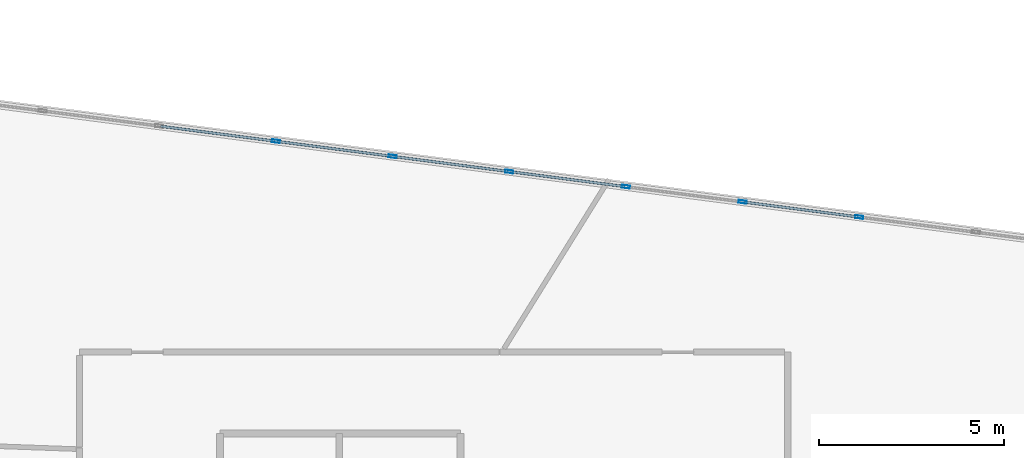
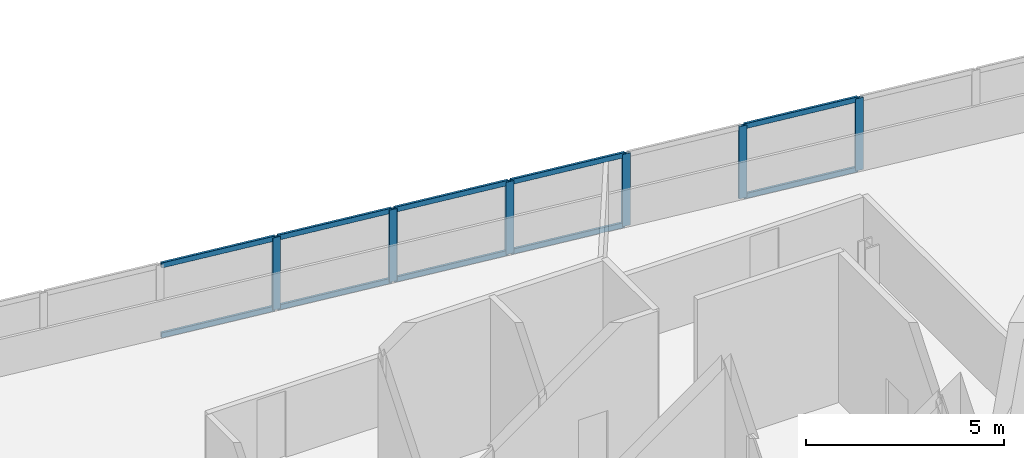
# One storey, part 3 of 7: 16 members, 1 element without a shape of its own.
"""IFC4 building model written with IfcOpenShell, lengths in metres."""

from ifc_helpers import new_model, si_unit, direction, frame, origin, origin_2d, place, context, subcontext, project, spatial, hollow_rectangle, extrude, material, material_profile, profile_set, type_object, element, aggregate, save


model = new_model("IFC4")

# Units and contexts
model_context = context("Model", 3, precision=1e-05, world=origin(), true_north=direction((0.0, 1.0)))
body_context = subcontext(model_context, "Body", "Model", "MODEL_VIEW")
ifc_project = project(units=[si_unit("LENGTHUNIT", "METRE"), si_unit("AREAUNIT", "SQUARE_METRE"), si_unit("VOLUMEUNIT", "CUBIC_METRE"), si_unit("PLANEANGLEUNIT", "RADIAN"), si_unit("MASSUNIT", "GRAM", prefix="KILO")], contexts=[model_context])

# Site, building, storey
site_placement = place(None, origin())
site = spatial("IfcSite", under=ifc_project, at=site_placement, CompositionType="ELEMENT")
building_placement = place(site_placement, origin())
building = spatial("IfcBuilding", under=site, at=building_placement, Name="Narakoshi Arena Tower", CompositionType="ELEMENT")
storey_placement = place(building_placement, frame((0.0, 0.0, 312.580078125)))
storey = spatial("IfcBuildingStorey", under=building, at=storey_placement, Name="L84", CompositionType="ELEMENT", Elevation=312.580078125)

# Curtain wall, members
ifc_material = material(Name="Anodised bronze aluminium 6063-T6", Category="aluminium")
curtain_wall_type = type_object("IfcCurtainWallType", Name="CW-CRN-FACET", PredefinedType="NOTDEFINED", material=ifc_material)
curtain_wall_placement = place(storey_placement, origin())
curtain_wall = element("IfcCurtainWall", 1, at=curtain_wall_placement, inside=storey, type_object=curtain_wall_type, Name="L84 Slanted-Cut Crown Curtain Wall 5-1", PredefinedType="NOTDEFINED")
ifc_material_profile_1 = material_profile(ifc_material, hollow_rectangle(XDim=0.080078125, YDim=0.219970703125, WallThickness=0.0048828125, OuterFilletRadius=0.006103515625, at=origin_2d()), Name="MUL220x80x5")
ifc_profile_set_1 = profile_set([ifc_material_profile_1], Name="Anodised bronze aluminium 6063-T6")
member_type_1 = type_object("IfcMemberType", Name="MEM-MUL-220", PredefinedType="MULLION", material=ifc_profile_set_1)
member_1_placement = place(storey_placement, frame((74.61181640625, 54.251708984375, 0.0), z_axis=(0.0, 0.0, 1.0), x_axis=(0.128889713319, 0.991658934211, 0.0)))
member_1 = element("IfcMember", 2, at=member_1_placement, type_object=member_type_1, Name="CW-06 mullion 8", PredefinedType="MULLION", context=body_context, shape_type="SweptSolid", body=[
    extrude(hollow_rectangle(XDim=0.080078125, YDim=0.219970703125, WallThickness=0.0048828125, OuterFilletRadius=0.006103515625, at=origin_2d()), origin(), (0.0, 0.0, 1.0), 2.2216796875),
])
member_2_placement = place(storey_placement, frame((77.765869140625, 53.841796875, 0.0), z_axis=(0.0, 0.0, 1.0), x_axis=(0.128889713319, 0.991658934211, 0.0)))
member_2 = element("IfcMember", 3, at=member_2_placement, type_object=member_type_1, Name="CW-06 mullion 9", PredefinedType="MULLION", context=body_context, shape_type="SweptSolid", body=[
    extrude(hollow_rectangle(XDim=0.080078125, YDim=0.219970703125, WallThickness=0.0048828125, OuterFilletRadius=0.006103515625, at=origin_2d()), origin(), (0.0, 0.0, 1.0), 2.2216796875),
])
member_3_placement = place(storey_placement, frame((80.920166015625, 53.431884765625, 0.0), z_axis=(0.0, 0.0, 1.0), x_axis=(0.128889713319, 0.991658934211, 0.0)))
member_3 = element("IfcMember", 4, at=member_3_placement, type_object=member_type_1, Name="CW-06 mullion 10", PredefinedType="MULLION", context=body_context, shape_type="SweptSolid", body=[
    extrude(hollow_rectangle(XDim=0.080078125, YDim=0.219970703125, WallThickness=0.0048828125, OuterFilletRadius=0.006103515625, at=origin_2d()), origin(), (0.0, 0.0, 1.0), 2.2216796875),
])
member_4_placement = place(storey_placement, frame((84.07421875, 53.02197265625, 0.0), z_axis=(0.0, 0.0, 1.0), x_axis=(0.128889713319, 0.991658934211, 0.0)))
member_4 = element("IfcMember", 5, at=member_4_placement, type_object=member_type_1, Name="CW-06 mullion 11", PredefinedType="MULLION", context=body_context, shape_type="SweptSolid", body=[
    extrude(hollow_rectangle(XDim=0.080078125, YDim=0.219970703125, WallThickness=0.0048828125, OuterFilletRadius=0.006103515625, at=origin_2d()), origin(), (0.0, 0.0, 1.0), 2.2216796875),
])
member_5_placement = place(storey_placement, frame((87.228515625, 52.612060546875, 0.0), z_axis=(0.0, 0.0, 1.0), x_axis=(0.128889713319, 0.991658934211, 0.0)))
member_5 = element("IfcMember", 6, at=member_5_placement, type_object=member_type_1, Name="CW-06 mullion 12", PredefinedType="MULLION", context=body_context, shape_type="SweptSolid", body=[
    extrude(hollow_rectangle(XDim=0.080078125, YDim=0.219970703125, WallThickness=0.0048828125, OuterFilletRadius=0.006103515625, at=origin_2d()), origin(), (0.0, 0.0, 1.0), 2.2216796875),
])
member_6_placement = place(storey_placement, frame((90.382568359375, 52.201904296875, 0.0), z_axis=(0.0, 0.0, 1.0), x_axis=(0.128889713319, 0.991658934211, 0.0)))
member_6 = element("IfcMember", 7, at=member_6_placement, type_object=member_type_1, Name="CW-06 mullion 13", PredefinedType="MULLION", context=body_context, shape_type="SweptSolid", body=[
    extrude(hollow_rectangle(XDim=0.080078125, YDim=0.219970703125, WallThickness=0.0048828125, OuterFilletRadius=0.006103515625, at=origin_2d()), origin(), (0.0, 0.0, 1.0), 2.2216796875),
])
ifc_material_profile_2 = material_profile(ifc_material, hollow_rectangle(XDim=0.070068359375, YDim=0.159912109375, WallThickness=0.00390625, OuterFilletRadius=0.0048828125, at=origin_2d()), Name="TRN160x70x4")
ifc_profile_set_2 = profile_set([ifc_material_profile_2], Name="Anodised bronze aluminium 6063-T6")
member_type_2 = type_object("IfcMemberType", Name="MEM-TRN-160", PredefinedType="USERDEFINED", material=ifc_profile_set_2)
member_7_placement = place(storey_placement, frame((71.497314453125, 54.656494140625, 0.034912109375), z_axis=(0.991657831749, -0.128898195218, 0.0), x_axis=(0.128898195218, 0.991657831749, 0.0)))
member_7 = element("IfcMember", 8, at=member_7_placement, type_object=member_type_2, Name="CW-06 transom 7.1", ObjectType="TRANSOM", PredefinedType="USERDEFINED", context=body_context, shape_type="SweptSolid", body=[
    extrude(hollow_rectangle(XDim=0.070068359375, YDim=0.159912109375, WallThickness=0.00390625, OuterFilletRadius=0.0048828125, at=origin_2d()), origin(), (0.0, 0.0, 1.0), 3.1005859375),
])
member_8_placement = place(storey_placement, frame((71.497314453125, 54.656494140625, 2.186767578125), z_axis=(0.991657831749, -0.128898195218, 0.0), x_axis=(0.128898195218, 0.991657831749, 0.0)))
member_8 = element("IfcMember", 9, at=member_8_placement, type_object=member_type_2, Name="CW-06 transom 7.2", ObjectType="TRANSOM", PredefinedType="USERDEFINED", context=body_context, shape_type="SweptSolid", body=[
    extrude(hollow_rectangle(XDim=0.070068359375, YDim=0.159912109375, WallThickness=0.00390625, OuterFilletRadius=0.0048828125, at=origin_2d()), origin(), (0.0, 0.0, 1.0), 3.1005859375),
])
member_9_placement = place(storey_placement, frame((74.6513671875, 54.24658203125, 0.034912109375), z_axis=(0.991659139849, -0.128888131158, 0.0), x_axis=(0.128888131158, 0.991659139849, 0.0)))
member_9 = element("IfcMember", 10, at=member_9_placement, type_object=member_type_2, Name="CW-06 transom 8.1", ObjectType="TRANSOM", PredefinedType="USERDEFINED", context=body_context, shape_type="SweptSolid", body=[
    extrude(hollow_rectangle(XDim=0.070068359375, YDim=0.159912109375, WallThickness=0.00390625, OuterFilletRadius=0.0048828125, at=origin_2d()), origin(), (0.0, 0.0, 1.0), 3.100830078125),
])
member_10_placement = place(storey_placement, frame((74.6513671875, 54.24658203125, 2.186767578125), z_axis=(0.991659139849, -0.128888131158, 0.0), x_axis=(0.128888131158, 0.991659139849, 0.0)))
member_10 = element("IfcMember", 11, at=member_10_placement, type_object=member_type_2, Name="CW-06 transom 8.2", ObjectType="TRANSOM", PredefinedType="USERDEFINED", context=body_context, shape_type="SweptSolid", body=[
    extrude(hollow_rectangle(XDim=0.070068359375, YDim=0.159912109375, WallThickness=0.00390625, OuterFilletRadius=0.0048828125, at=origin_2d()), origin(), (0.0, 0.0, 1.0), 3.100830078125),
])
member_11_placement = place(storey_placement, frame((77.8056640625, 53.836669921875, 0.034912109375), z_axis=(0.991657831749, -0.128898195218, 0.0), x_axis=(0.128898195218, 0.991657831749, 0.0)))
member_11 = element("IfcMember", 12, at=member_11_placement, type_object=member_type_2, Name="CW-06 transom 9.1", ObjectType="TRANSOM", PredefinedType="USERDEFINED", context=body_context, shape_type="SweptSolid", body=[
    extrude(hollow_rectangle(XDim=0.070068359375, YDim=0.159912109375, WallThickness=0.00390625, OuterFilletRadius=0.0048828125, at=origin_2d()), origin(), (0.0, 0.0, 1.0), 3.1005859375),
])
member_12_placement = place(storey_placement, frame((77.8056640625, 53.836669921875, 2.186767578125), z_axis=(0.991657831749, -0.128898195218, 0.0), x_axis=(0.128898195218, 0.991657831749, 0.0)))
member_12 = element("IfcMember", 13, at=member_12_placement, type_object=member_type_2, Name="CW-06 transom 9.2", ObjectType="TRANSOM", PredefinedType="USERDEFINED", context=body_context, shape_type="SweptSolid", body=[
    extrude(hollow_rectangle(XDim=0.070068359375, YDim=0.159912109375, WallThickness=0.00390625, OuterFilletRadius=0.0048828125, at=origin_2d()), origin(), (0.0, 0.0, 1.0), 3.1005859375),
])
member_13_placement = place(storey_placement, frame((80.959716796875, 53.4267578125, 0.034912109375), z_axis=(0.991659139849, -0.128888131158, 0.0), x_axis=(0.128888131158, 0.991659139849, 0.0)))
member_13 = element("IfcMember", 14, at=member_13_placement, type_object=member_type_2, Name="CW-06 transom 10.1", ObjectType="TRANSOM", PredefinedType="USERDEFINED", context=body_context, shape_type="SweptSolid", body=[
    extrude(hollow_rectangle(XDim=0.070068359375, YDim=0.159912109375, WallThickness=0.00390625, OuterFilletRadius=0.0048828125, at=origin_2d()), origin(), (0.0, 0.0, 1.0), 3.100830078125),
])
member_14_placement = place(storey_placement, frame((80.959716796875, 53.4267578125, 2.186767578125), z_axis=(0.991659139849, -0.128888131158, 0.0), x_axis=(0.128888131158, 0.991659139849, 0.0)))
member_14 = element("IfcMember", 15, at=member_14_placement, type_object=member_type_2, Name="CW-06 transom 10.2", ObjectType="TRANSOM", PredefinedType="USERDEFINED", context=body_context, shape_type="SweptSolid", body=[
    extrude(hollow_rectangle(XDim=0.070068359375, YDim=0.159912109375, WallThickness=0.00390625, OuterFilletRadius=0.0048828125, at=origin_2d()), origin(), (0.0, 0.0, 1.0), 3.100830078125),
])
member_15_placement = place(storey_placement, frame((87.26806640625, 52.606689453125, 0.034912109375), z_axis=(0.991659139849, -0.128888131158, 0.0), x_axis=(0.128888131158, 0.991659139849, 0.0)))
member_15 = element("IfcMember", 16, at=member_15_placement, type_object=member_type_2, Name="CW-06 transom 12.1", ObjectType="TRANSOM", PredefinedType="USERDEFINED", context=body_context, shape_type="SweptSolid", body=[
    extrude(hollow_rectangle(XDim=0.070068359375, YDim=0.159912109375, WallThickness=0.00390625, OuterFilletRadius=0.0048828125, at=origin_2d()), origin(), (0.0, 0.0, 1.0), 3.100830078125),
])
member_16_placement = place(storey_placement, frame((87.26806640625, 52.606689453125, 2.186767578125), z_axis=(0.991659139849, -0.128888131158, 0.0), x_axis=(0.128888131158, 0.991659139849, 0.0)))
member_16 = element("IfcMember", 17, at=member_16_placement, type_object=member_type_2, Name="CW-06 transom 12.2", ObjectType="TRANSOM", PredefinedType="USERDEFINED", context=body_context, shape_type="SweptSolid", body=[
    extrude(hollow_rectangle(XDim=0.070068359375, YDim=0.159912109375, WallThickness=0.00390625, OuterFilletRadius=0.0048828125, at=origin_2d()), origin(), (0.0, 0.0, 1.0), 3.100830078125),
])
aggregate(curtain_wall, [member_1, member_2, member_3, member_4, member_5, member_6, member_7, member_8, member_9, member_10, member_11, member_12, member_13, member_14, member_15, member_16])

save(model, "model.ifc")
